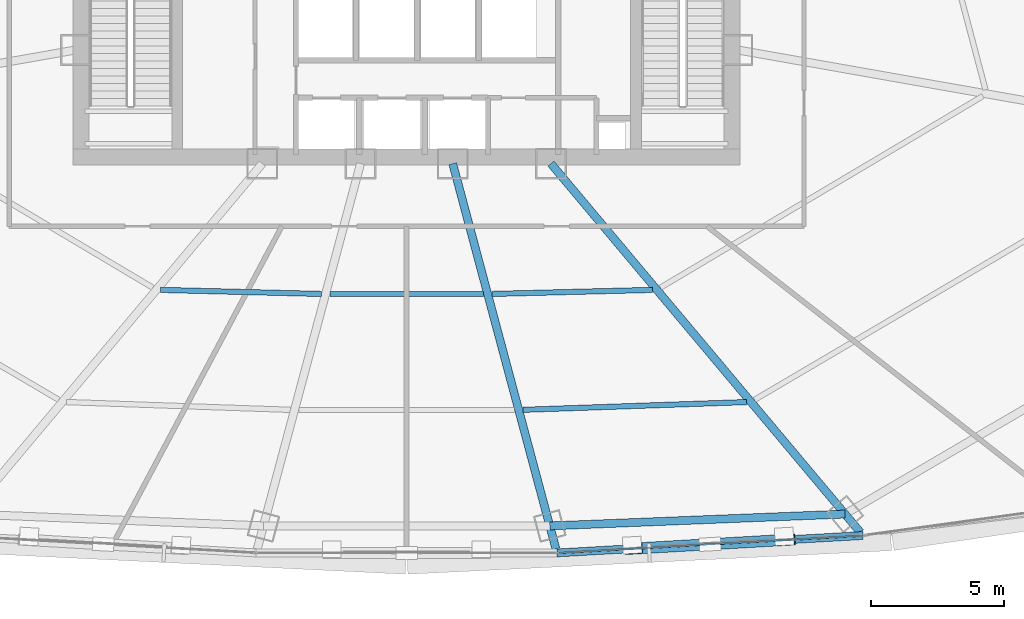
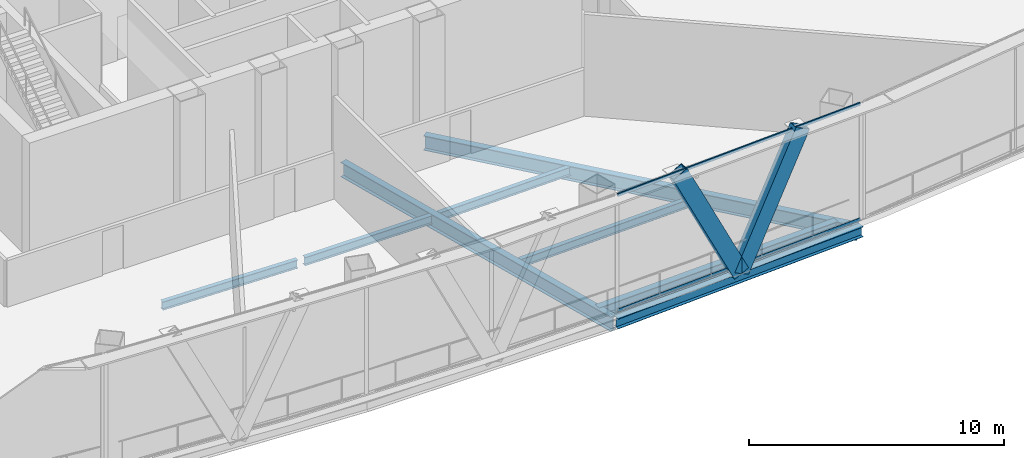
# One storey, part 12 of 36: 8 beams, 4 members, 1 element without a shape of its own.
"""IFC4 building model written with IfcOpenShell, lengths in metres."""

from ifc_helpers import new_model, si_unit, direction, frame, origin, origin_2d, place, context, subcontext, project, spatial, hollow_rectangle, i_section, extrude, source, transform, mapped, material, layer, layer_set, material_profile, profile_set, type_object, element, aggregate, save


model = new_model("IFC4")

# Units and contexts
model_context = context("Model", 3, precision=1e-05, world=origin(), true_north=direction((0.0, 1.0)))
body_context = subcontext(model_context, "Body", "Model", "MODEL_VIEW")
ifc_project = project(units=[si_unit("LENGTHUNIT", "METRE"), si_unit("AREAUNIT", "SQUARE_METRE"), si_unit("VOLUMEUNIT", "CUBIC_METRE"), si_unit("PLANEANGLEUNIT", "RADIAN"), si_unit("MASSUNIT", "GRAM", prefix="KILO"), si_unit("THERMODYNAMICTEMPERATUREUNIT", "KELVIN"), si_unit("POWERUNIT", "WATT")], contexts=[model_context])

# Site, building, storey
site_placement = place(None, origin())
site = spatial("IfcSite", under=ifc_project, at=site_placement, CompositionType="ELEMENT")
building_placement = place(site_placement, origin())
building = spatial("IfcBuilding", under=site, at=building_placement, Name="Yunzhuo Pagoda Commons", CompositionType="ELEMENT")
storey_placement = place(building_placement, frame((0.0, 0.0, 119.179931640625)))
storey = spatial("IfcBuildingStorey", under=building, at=storey_placement, Name="L30", CompositionType="ELEMENT", Elevation=119.179931640625)

# Beams
ifc_material_1 = material(Name="Structural steel Q355B", Category="steel")
ifc_material_profile_1 = material_profile(ifc_material_1, i_section(OverallWidth=0.300048828125, OverallDepth=0.699951171875, WebThickness=0.012939453125, FlangeThickness=0.02392578125, at=origin_2d()), Name="Structural steel Q355B")
ifc_profile_set_1 = profile_set([ifc_material_profile_1], Name="Structural steel Q355B")
beam_type_1 = type_object("IfcBeamType", Name="B-RG1 Beam HN 700x300x13x24", PredefinedType="BEAM", material=ifc_profile_set_1)
shared_shape_1 = source(origin(), body_context, "Body", "SweptSolid", [
    extrude(i_section(OverallWidth=0.300048828125, OverallDepth=0.699951171875, WebThickness=0.012939453125, FlangeThickness=0.02392578125, at=origin_2d()), origin(), (0.0, 0.0, 1.0), 11.077392578125),
])
beam_1_placement = place(storey_placement, frame((53.367431640625, 13.66845703125, -0.6298828125), z_axis=(0.999196975427, 0.040067496776, 0.0), x_axis=(-0.040067496776, 0.999196975427, 0.0)))
element("IfcBeam", 1, at=beam_1_placement, inside=storey, type_object=beam_type_1, Name="L30 column-ring beam 3", PredefinedType="BEAM", context=body_context, shape_type="MappedRepresentation", body=[
    mapped(shared_shape_1, transform((0.0, 0.0, 0.0), scale=1.0)),
])
ifc_material_profile_2 = material_profile(ifc_material_1, i_section(OverallWidth=0.199951171875, OverallDepth=0.39990234375, WebThickness=0.008056640625, FlangeThickness=0.012939453125, at=origin_2d()), Name="Structural steel Q355B")
ifc_profile_set_2 = profile_set([ifc_material_profile_2], Name="Structural steel Q355B")
beam_type_2 = type_object("IfcBeamType", Name="B-JS1 Joist HN 400x200x8x13", PredefinedType="JOIST", material=ifc_profile_set_2)
shared_shape_2 = source(origin(), body_context, "Body", "SweptSolid", [
    extrude(i_section(OverallWidth=0.199951171875, OverallDepth=0.39990234375, WebThickness=0.008056640625, FlangeThickness=0.012939453125, at=origin_2d()), origin(), (0.0, 0.0, 1.0), 6.026611328125),
])
for number, where, z_axis, x_axis, name in (
    (2, (38.778076171875, 22.516357421875, -0.47998046875), (0.99968248871, -0.025197654009, 0.0), (0.025197654009, 0.99968248871, 0.0), "L30 composite ring joist 1.1"),
    (3, (51.197265625, 22.364501953125, -0.47998046875), (0.99968248871, 0.025197654009, 0.0), (-0.025197654009, 0.99968248871, 0.0), "L30 composite ring joist 1.3"),
):
    element("IfcBeam", number, at=place(storey_placement, frame(where, z_axis=z_axis, x_axis=x_axis)), inside=storey, type_object=beam_type_2, Name=name, PredefinedType="JOIST", context=body_context, shape_type="MappedRepresentation", body=[
        mapped(shared_shape_2, transform((0.0, 0.0, 0.0), scale=1.0)),
    ])
shared_shape_3 = source(origin(), body_context, "Body", "SweptSolid", [
    extrude(i_section(OverallWidth=0.199951171875, OverallDepth=0.39990234375, WebThickness=0.008056640625, FlangeThickness=0.012939453125, at=origin_2d()), origin(), (0.0, 0.0, 1.0), 8.392822265625),
])
beam_2_placement = place(storey_placement, frame((52.36181640625, 18.020263671875, -0.47998046875), z_axis=(0.999400667027, 0.034616567521, 0.0), x_axis=(-0.034616567521, 0.999400667027, 0.0)))
element("IfcBeam", 4, at=beam_2_placement, inside=storey, type_object=beam_type_2, Name="L30 composite ring joist 2.3", PredefinedType="JOIST", context=body_context, shape_type="MappedRepresentation", body=[
    mapped(shared_shape_3, transform((0.0, 0.0, 0.0), scale=1.0)),
])
shared_shape_4 = source(origin(), body_context, "Body", "SweptSolid", [
    extrude(i_section(OverallWidth=0.199951171875, OverallDepth=0.39990234375, WebThickness=0.008056640625, FlangeThickness=0.012939453125, at=origin_2d()), origin(), (0.0, 0.0, 1.0), 5.7587890625),
])
beam_3_placement = place(storey_placement, frame((45.120849609375, 22.360595703125, -0.47998046875), z_axis=(1.0, 0.0, 0.0), x_axis=(0.0, 1.0, 0.0)))
element("IfcBeam", 5, at=beam_3_placement, inside=storey, type_object=beam_type_2, Name="L30 composite ring joist 1.2", PredefinedType="JOIST", context=body_context, shape_type="MappedRepresentation", body=[
    mapped(shared_shape_4, transform((0.0, 0.0, 0.0), scale=1.0)),
])
shared_shape_5 = source(origin(), body_context, "Body", "SweptSolid", [
    extrude(i_section(OverallWidth=0.300048828125, OverallDepth=0.699951171875, WebThickness=0.012939453125, FlangeThickness=0.02392578125, at=origin_2d()), origin(), (0.0, 0.0, 1.0), 18.04541015625),
])
beam_4_placement = place(storey_placement, frame((65.011474609375, 13.426513671875, -0.6298828125), z_axis=(-0.642790307328, 0.766042179521, 0.0), x_axis=(-0.766042179521, -0.642790307328, 0.0)))
element("IfcBeam", 6, at=beam_4_placement, inside=storey, type_object=beam_type_1, Name="L30 radial floor girder F1C4", PredefinedType="BEAM", context=body_context, shape_type="MappedRepresentation", body=[
    mapped(shared_shape_5, transform((0.0, 0.0, 0.0), scale=1.0)),
])
shared_shape_6 = source(origin(), body_context, "Body", "SweptSolid", [
    extrude(i_section(OverallWidth=0.300048828125, OverallDepth=0.699951171875, WebThickness=0.012939453125, FlangeThickness=0.02392578125, at=origin_2d()), origin(), (0.0, 0.0, 1.0), 14.95556640625),
])
beam_5_placement = place(storey_placement, frame((53.59912109375, 12.803955078125, -0.6298828125), z_axis=(-0.258806530425, 0.9659291795, 0.0), x_axis=(-0.9659291795, -0.258806530425, 0.0)))
element("IfcBeam", 7, at=beam_5_placement, inside=storey, type_object=beam_type_1, Name="L30 radial floor girder F1C3", PredefinedType="BEAM", context=body_context, shape_type="MappedRepresentation", body=[
    mapped(shared_shape_6, transform((0.0, 0.0, 0.0), scale=1.0)),
])
ifc_material_profile_3 = material_profile(ifc_material_1, i_section(OverallWidth=0.300048828125, OverallDepth=0.488037109375, WebThickness=0.010986328125, FlangeThickness=0.01806640625, at=origin_2d()), Name="Structural steel Q355B")
ifc_profile_set_3 = profile_set([ifc_material_profile_3], Name="Structural steel Q355B")
beam_type_3 = type_object("IfcBeamType", Name="B-SP1 Beam HM 488x300x11x18", PredefinedType="BEAM", material=ifc_profile_set_3)
shared_shape_7 = source(origin(), body_context, "Body", "SweptSolid", [
    extrude(i_section(OverallWidth=0.300048828125, OverallDepth=0.488037109375, WebThickness=0.010986328125, FlangeThickness=0.01806640625, at=origin_2d()), origin(), (0.0, 0.0, 1.0), 11.490478515625),
])
beam_6_placement = place(storey_placement, frame((53.63916015625, 12.654296875, -0.52392578125), z_axis=(0.998381104826, 0.056878550674, 0.0), x_axis=(-0.056878550674, 0.998381104826, 0.0)))
element("IfcBeam", 8, at=beam_6_placement, inside=storey, type_object=beam_type_3, Name="L30 facade edge spandrel beam F1.3", PredefinedType="BEAM", context=body_context, shape_type="MappedRepresentation", body=[
    mapped(shared_shape_7, transform((0.0, 0.0, 0.0), scale=1.0)),
])

# Members
ifc_material_2 = material(Name="Structural steel Q420B", Category="steel")
ifc_material_profile_4 = material_profile(ifc_material_2, hollow_rectangle(XDim=0.419921875, YDim=0.719970703125, WallThickness=0.028076171875, at=origin_2d()), Name="Structural steel Q420B")
ifc_profile_set_4 = profile_set([ifc_material_profile_4], Name="Structural steel Q420B")
member_type_1 = type_object("IfcMemberType", Name="M-DL1 Brace BOX 720x420x28", PredefinedType="BRACE", material=ifc_profile_set_4)
shared_shape_8 = source(origin(), body_context, "Body", "SweptSolid", [
    extrude(hollow_rectangle(XDim=0.419921875, YDim=0.719970703125, WallThickness=0.028076171875, at=origin_2d()), origin(), (0.0, 0.0, 1.0), 6.517333984375),
])
for number, where, z_axis, x_axis, name in (
    (9, (59.375, 12.98095703125, -0.280029296875), (-0.440046808147, -0.025060978518, 0.89762506315), (0.056858578378, -0.998382242463, 0.0), "L30 facade diamond brace F1.3L"),
    (10, (59.375, 12.98095703125, -0.280029296875), (0.440076600453, 0.025098001558, 0.897609422885), (-0.056938462052, 0.998377689824, 0.0), "L30 facade diamond brace F1.3R"),
):
    element("IfcMember", number, at=place(storey_placement, frame(where, z_axis=z_axis, x_axis=x_axis)), inside=storey, type_object=member_type_1, Name=name, PredefinedType="BRACE", context=body_context, shape_type="MappedRepresentation", body=[
        mapped(shared_shape_8, transform((0.0, 0.0, 0.0), scale=1.0)),
    ])

# Curtain wall, members
ifc_material_3 = material(Name="Anodized aluminium 6063-T6", Category="aluminium")
ifc_layer = layer(ifc_material_3, 0.1650390625)
ifc_layer_set = layer_set([ifc_layer], Name="Anodized aluminium 6063-T6")
curtain_wall_type = type_object("IfcCurtainWallType", Name="CW-LOW Low-Zone Ribbon Curtain Wall", PredefinedType="NOTDEFINED", material=ifc_layer_set)
curtain_wall_placement = place(storey_placement, origin())
curtain_wall = element("IfcCurtainWall", 11, at=curtain_wall_placement, inside=storey, type_object=curtain_wall_type, Name="L30 curtain wall CW-L30-F1B4", PredefinedType="NOTDEFINED")
ifc_material_profile_5 = material_profile(ifc_material_3, hollow_rectangle(XDim=0.06005859375, YDim=0.139892578125, WallThickness=0.00341796875, at=origin_2d()), Name="Anodized aluminium 6063-T6")
ifc_profile_set_5 = profile_set([ifc_material_profile_5], Name="Anodized aluminium 6063-T6")
member_type_2 = type_object("IfcMemberType", Name="CW-LOW-T Transom RHS 140x60x3.5", PredefinedType="USERDEFINED", material=ifc_profile_set_5)
shared_shape_9 = source(origin(), body_context, "Body", "SweptSolid", [
    extrude(hollow_rectangle(XDim=0.06005859375, YDim=0.139892578125, WallThickness=0.00341796875, at=origin_2d()), origin(), (0.0, 0.0, 1.0), 11.3603515625),
])
member_1_placement = place(storey_placement, frame((53.7041015625, 12.657958984375, 0.030029296875), z_axis=(0.998380728376, 0.05688515806, 0.0), x_axis=(-0.05688515806, 0.998380728376, 0.0)))
member_1 = element("IfcMember", 12, at=member_1_placement, type_object=member_type_2, Name="CW transom 1.1", ObjectType="TRANSOM", PredefinedType="USERDEFINED", context=body_context, shape_type="MappedRepresentation", body=[
    mapped(shared_shape_9, transform((0.0, 0.0, 0.0), scale=1.0)),
])
member_2_placement = place(storey_placement, frame((53.7041015625, 12.657958984375, 5.5400390625), z_axis=(0.998380728376, 0.05688515806, 0.0), x_axis=(-0.05688515806, 0.998380728376, 0.0)))
member_2 = element("IfcMember", 13, at=member_2_placement, type_object=member_type_2, Name="CW transom 1.2", ObjectType="TRANSOM", PredefinedType="USERDEFINED", context=body_context, shape_type="MappedRepresentation", body=[
    mapped(shared_shape_9, transform((0.0, 0.0, 0.0), scale=1.0)),
])
aggregate(curtain_wall, [member_1, member_2])

save(model, "model.ifc")
